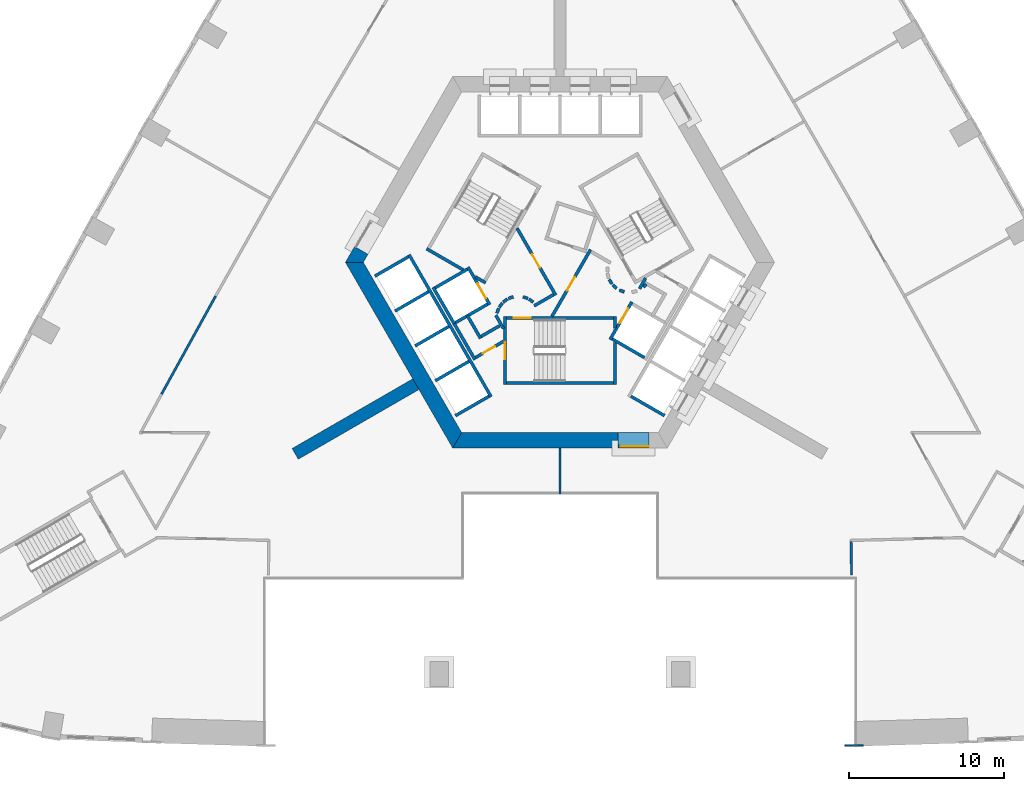
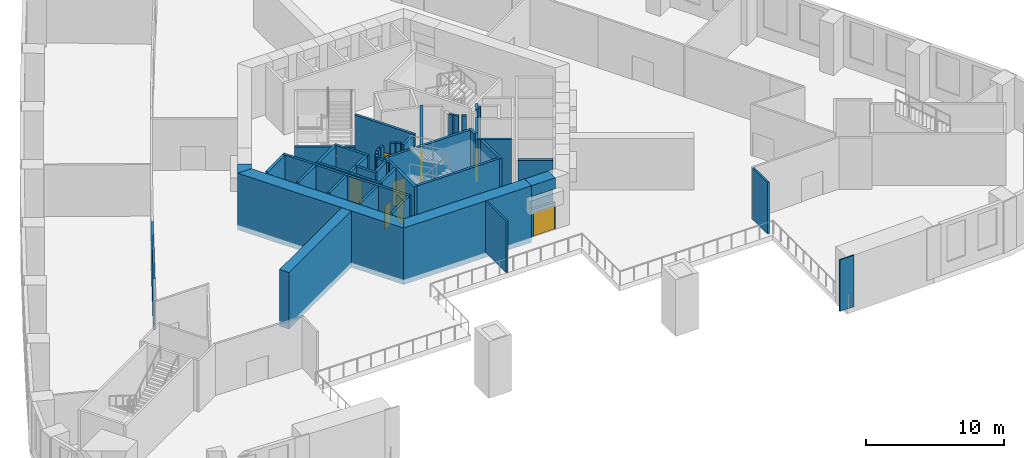
# One storey, part 3 of 16: 49 walls, 8 doors, 8 openings.
"""IFC4 building model written with IfcOpenShell, lengths in metres."""

from ifc_helpers import new_model, si_unit, direction, frame, frame_2d, origin, place, context, subcontext, project, spatial, polyline, rectangle, outline, extrude, material, layer, layer_set, type_object, element, fill, save


model = new_model("IFC4")

# Units and contexts
model_context = context("Model", 3, precision=1e-05, world=origin(), true_north=direction((0.0, 1.0)))
body_context = subcontext(model_context, "Body", "Model", "MODEL_VIEW")
ifc_project = project(units=[si_unit("LENGTHUNIT", "METRE"), si_unit("AREAUNIT", "SQUARE_METRE"), si_unit("VOLUMEUNIT", "CUBIC_METRE"), si_unit("PLANEANGLEUNIT", "RADIAN"), si_unit("MASSUNIT", "GRAM", prefix="KILO")], contexts=[model_context])

# Site, building, storey
site_placement = place(None, origin())
site = spatial("IfcSite", under=ifc_project, at=site_placement, CompositionType="ELEMENT")
building_placement = place(site_placement, origin())
building = spatial("IfcBuilding", under=site, at=building_placement, Name="Entoto Arch Interchange Tower", CompositionType="ELEMENT")
storey_placement = place(building_placement, frame((0.0, 0.0, 15.0)))
storey = spatial("IfcBuildingStorey", under=building, at=storey_placement, Name="L02", CompositionType="ELEMENT", Elevation=15.0)

# Wall
ifc_material_1 = material(Name="Concrete C60/75", Category="concrete")
ifc_layer_1 = layer(ifc_material_1, 0.800048828125)
ifc_layer_set_1 = layer_set([ifc_layer_1], Name="Concrete C60/75")
wall_type_1 = type_object("IfcWallType", Name="Buttress wall 800 C60/75", PredefinedType="SHEAR", material=ifc_layer_set_1)
wall_1_placement = place(storey_placement, frame((-9.31005859375, -5.375, -0.449951171875), z_axis=(0.0, 0.0, 1.0), x_axis=(-0.866017533419, -0.500013631625, 0.0)))
element("IfcWall", 1, at=wall_1_placement, inside=storey, type_object=wall_type_1, Name="Buttress wall SW L02", PredefinedType="SHEAR", context=body_context, shape_type="SweptSolid", body=[
    extrude(rectangle(XDim=8.999755859375, YDim=0.800048828125, at=frame_2d((4.5, 0.0))), origin(), (0.0, 0.0, 1.0), 5.0),
])

# Wall, opening, door
ifc_material_2 = material(Name="Reinforced concrete C40/50", Category="concrete")
ifc_layer_2 = layer(ifc_material_2, 0.199951171875)
ifc_layer_set_2 = layer_set([ifc_layer_2], Name="Reinforced concrete C40/50")
wall_type_2 = type_object("IfcWallType", Name="CORE GAP INFILL WALL", PredefinedType="PARTITIONING", material=ifc_layer_set_2)
wall_2_placement = place(storey_placement, frame((3.75, -9.39990234375, 0.0), z_axis=(0.0, 0.0, 1.0), x_axis=(1.0, 0.0, 0.0)))
wall_2 = element("IfcWall", 2, at=wall_2_placement, inside=storey, type_object=wall_type_2, Name="wall:L02:gap1", PredefinedType="PARTITIONING", context=body_context, shape_type="SweptSolid", body=[
    extrude(rectangle(XDim=2.0, YDim=0.199951171875, at=frame_2d((1.0, 0.0))), origin(), (0.0, 0.0, 1.0), 2.39990234375),
])
opening_1_placement = place(wall_2_placement, frame((0.18994140625, 0.0, 0.0)))
opening_1 = element("IfcOpeningElement", 3, at=opening_1_placement, cuts=wall_2, Name="Opening L02-D91", PredefinedType="OPENING", context=body_context, shape_type="SweptSolid", body=[
    extrude(rectangle(XDim=1.800048828125, YDim=2.10009765625, at=frame_2d((0.89990234375, 1.050048828125))), frame((0.0, 0.10986328125, 0.0), z_axis=(0.0, -1.0, 0.0), x_axis=(1.0, 0.0, 0.0)), (0.0, 0.0, 1.0), 0.219970703125),
])
ifc_material_3 = material(Name="Fire-rated Steel S235 door and frame", Category="steel")
door_type_1 = type_object("IfcDoorType", Name="DOOR FD-18 1800x2100", OperationType="DOUBLE_DOOR_SINGLE_SWING", PredefinedType="DOOR", material=ifc_material_3)
door_1_placement = place(opening_1_placement, origin())
door_1 = element("IfcDoor", 4, at=door_1_placement, inside=storey, type_object=door_type_1, Name="door:L02:gap1", OperationType="DOUBLE_DOOR_SINGLE_SWING", OverallHeight=2.10009765625, OverallWidth=1.800048828125, PredefinedType="DOOR", context=body_context, shape_type="SweptSolid", body=[
    extrude(rectangle(XDim=1.800048828125, YDim=2.10009765625, at=frame_2d((0.89990234375, 1.050048828125))), frame((0.0, 0.02490234375, 0.0), z_axis=(0.0, -1.0, 0.0), x_axis=(1.0, 0.0, 0.0)), (0.0, 0.0, 1.0), 0.050048828125),
])
fill(opening_1, door_1)

# Walls
ifc_layer_3 = layer(ifc_material_1, 1.0)
ifc_layer_set_3 = layer_set([ifc_layer_3], Name="Concrete C60/75")
wall_type_3 = type_object("IfcWallType", Name="Core wall 1000 C60/75", PredefinedType="SHEAR", material=ifc_layer_set_3)
wall_3_placement = place(storey_placement, frame((0.0, 0.0, -0.449951171875)))
element("IfcWall", 5, at=wall_3_placement, inside=storey, type_object=wall_type_3, Name="Core wall NW L02", PredefinedType="SHEAR", context=body_context, shape_type="SweptSolid", body=[
    extrude(outline(polyline([(-12.402099609375, 3.02001953125), (-13.26708984375, 3.52001953125), (-13.85595703125, 2.5), (-12.701904296875, 2.5), (-12.402099609375, 3.02001953125)])), origin(), (0.0, 0.0, 1.0), 5.0),
])
wall_4_placement = place(storey_placement, frame((0.0, 0.0, -0.449951171875)))
element("IfcWall", 6, at=wall_4_placement, inside=storey, type_object=wall_type_3, Name="Core wall SW L02", PredefinedType="SHEAR", context=body_context, shape_type="SweptSolid", body=[
    extrude(outline(polyline([(-13.85595703125, 2.5), (-6.927978515625, -9.5), (-6.35107421875, -8.5), (-12.701904296875, 2.5), (-13.85595703125, 2.5)])), origin(), (0.0, 0.0, 1.0), 5.0),
])
wall_5_placement = place(storey_placement, frame((0.0, 0.0, -0.449951171875)))
element("IfcWall", 7, at=wall_5_placement, inside=storey, type_object=wall_type_3, Name="Core wall S L02", PredefinedType="SHEAR", context=body_context, shape_type="SweptSolid", body=[
    extrude(outline(polyline([(3.75, -9.5), (3.75, -8.5), (-6.35107421875, -8.5), (-6.927978515625, -9.5), (3.75, -9.5)])), origin(), (0.0, 0.0, 1.0), 5.0),
])
wall_6_placement = place(storey_placement, frame((0.0, 0.0, 3.60009765625)))
element("IfcWall", 8, at=wall_6_placement, inside=storey, type_object=wall_type_3, Name="Core wall lintel S L02", PredefinedType="SHEAR", context=body_context, shape_type="SweptSolid", body=[
    extrude(outline(polyline([(5.75, -9.5), (5.75, -8.5), (3.75, -8.5), (3.75, -9.5), (5.75, -9.5)])), origin(), (0.0, 0.0, 1.0), 0.949951171875),
])

# Wall, opening, door
ifc_material_4 = material(Name="Concrete C40/50", Category="concrete")
ifc_layer_4 = layer(ifc_material_4, 0.199951171875)
ifc_layer_set_4 = layer_set([ifc_layer_4], Name="Concrete C40/50")
wall_type_4 = type_object("IfcWallType", Name="LIFT SHAFT WALL 200", PredefinedType="STANDARD", material=ifc_layer_set_4)
wall_7_placement = place(storey_placement, frame((-5.93994140625, 2.18798828125, 0.0), z_axis=(0.0, 0.0, 1.0), x_axis=(0.49994636267, -0.866056369097, 0.0)))
wall_7 = element("IfcWall", 9, at=wall_7_placement, inside=storey, type_object=wall_type_4, Name="Shaft wall SW1 front", PredefinedType="STANDARD", context=body_context, shape_type="SweptSolid", body=[
    extrude(rectangle(XDim=2.800048828125, YDim=0.199951171875, at=frame_2d((1.39990234375, 0.0))), origin(), (0.0, 0.0, 1.0), 4.550048828125),
])
opening_2_placement = place(wall_7_placement, frame((1.22509765625, 0.0, 0.0)))
opening_2 = element("IfcOpeningElement", 10, at=opening_2_placement, cuts=wall_7, Name="Opening LD-FF2-L02", PredefinedType="OPENING", context=body_context, shape_type="SweptSolid", body=[
    extrude(rectangle(XDim=1.10009765625, YDim=2.10009765625, at=frame_2d((0.550048828125, 1.050048828125))), frame((0.0, 0.10986328125, 0.0), z_axis=(0.0, -1.0, 0.0), x_axis=(1.0, 0.0, 0.0)), (0.0, 0.0, 1.0), 0.219970703125),
])
ifc_material_5 = material(Name="Stainless steel 1.4301 panels", Category="steel")
door_type_2 = type_object("IfcDoorType", Name="LIFT LANDING DOOR LD1 1100x2100", OperationType="SLIDING_TO_LEFT", PredefinedType="DOOR", material=ifc_material_5)
door_2_placement = place(opening_2_placement, origin())
door_2 = element("IfcDoor", 11, at=door_2_placement, inside=storey, type_object=door_type_2, Name="Lift landing door FF2 L02", OperationType="SLIDING_TO_LEFT", OverallHeight=2.10009765625, OverallWidth=1.10009765625, PredefinedType="DOOR", context=body_context, shape_type="SweptSolid", body=[
    extrude(rectangle(XDim=1.10009765625, YDim=2.10009765625, at=frame_2d((0.550048828125, 1.050048828125))), frame((0.0, 0.02490234375, 0.0), z_axis=(0.0, -1.0, 0.0), x_axis=(1.0, 0.0, 0.0)), (0.0, 0.0, 1.0), 0.050048828125),
])
fill(opening_2, door_2)

# Walls
wall_8_placement = place(storey_placement, frame((-8.19189453125, 0.887939453125, 0.0), z_axis=(0.0, 0.0, 1.0), x_axis=(0.49994636267, -0.866056369097, 0.0)))
element("IfcWall", 12, at=wall_8_placement, inside=storey, type_object=wall_type_4, Name="Shaft wall SW1 back", PredefinedType="STANDARD", context=body_context, shape_type="SweptSolid", body=[
    extrude(rectangle(XDim=2.800048828125, YDim=0.199951171875, at=frame_2d((1.39990234375, 0.0))), origin(), (0.0, 0.0, 1.0), 4.550048828125),
])
for number, where, z_axis, x_axis, name in (
    (13, (-5.97705078125, 2.052001953125, 0.0), (0.0, 0.0, 1.0), (-0.865973769406, -0.500089422704, 0.0), "Shaft wall SW1 cross 1"),
    (14, (-4.677001953125, -0.199951171875, 0.0), (0.0, 0.0, 1.0), (-0.865973769406, -0.500089422704, 0.0), "Shaft wall SW1 cross 2"),
):
    element("IfcWall", number, at=place(storey_placement, frame(where, z_axis=z_axis, x_axis=x_axis)), inside=storey, type_object=wall_type_4, Name=name, PredefinedType="STANDARD", context=body_context, shape_type="SweptSolid", body=[
        extrude(rectangle(XDim=2.3994140625, YDim=0.199951171875, at=frame_2d((1.19970703125, 0.0))), origin(), (0.0, 0.0, 1.0), 4.550048828125),
    ])
wall_9_placement = place(storey_placement, frame((-9.7509765625, 2.989990234375, 0.0), z_axis=(0.0, 0.0, 1.0), x_axis=(0.50000090737, -0.866024879913, 0.0)))
element("IfcWall", 15, at=wall_9_placement, inside=storey, type_object=wall_type_4, Name="Shaft wall SW3 front", PredefinedType="STANDARD", context=body_context, shape_type="SweptSolid", body=[
    extrude(rectangle(XDim=10.60009765625, YDim=0.199951171875, at=frame_2d((5.300048828125, 0.0))), origin(), (0.0, 0.0, 1.0), 4.550048828125),
])
wall_10_placement = place(storey_placement, frame((-9.7880859375, 2.85302734375, 0.0), z_axis=(0.0, 0.0, 1.0), x_axis=(-0.865998541277, -0.500046524342, 0.0)))
element("IfcWall", 16, at=wall_10_placement, inside=storey, type_object=wall_type_4, Name="Shaft wall SW3 cross 1", PredefinedType="STANDARD", context=body_context, shape_type="SweptSolid", body=[
    extrude(rectangle(XDim=2.499755859375, YDim=0.199951171875, at=frame_2d((1.25, 0.0))), origin(), (0.0, 0.0, 1.0), 4.550048828125),
])
for number, where, z_axis, x_axis, name in (
    (17, (-8.488037109375, 0.60205078125, 0.0), (0.0, 0.0, 1.0), (-0.866022959057, -0.500004234368, 0.0), "Shaft wall SW3 cross 2"),
    (18, (-7.18798828125, -1.64990234375, 0.0), (0.0, 0.0, 1.0), (-0.866022959057, -0.500004234368, 0.0), "Shaft wall SW3 cross 3"),
    (19, (-5.887939453125, -3.902099609375, 0.0), (0.0, 0.0, 1.0), (-0.866022959057, -0.500004234368, 0.0), "Shaft wall SW3 cross 4"),
    (20, (-4.587890625, -6.153076171875, 0.0), (0.0, 0.0, 1.0), (-0.866022959057, -0.500004234368, 0.0), "Shaft wall SW3 cross 5"),
):
    element("IfcWall", number, at=place(storey_placement, frame(where, z_axis=z_axis, x_axis=x_axis)), inside=storey, type_object=wall_type_4, Name=name, PredefinedType="STANDARD", context=body_context, shape_type="SweptSolid", body=[
        extrude(rectangle(XDim=2.5, YDim=0.199951171875, at=frame_2d((1.25, 0.0))), origin(), (0.0, 0.0, 1.0), 4.550048828125),
    ])

# Wall, opening, door
wall_11_placement = place(storey_placement, frame((3.239990234375, -2.488037109375, 0.0), z_axis=(0.0, 0.0, 1.0), x_axis=(0.49994636267, 0.866056369097, 0.0)))
wall_11 = element("IfcWall", 21, at=wall_11_placement, inside=storey, type_object=wall_type_4, Name="Shaft wall SE1 front", PredefinedType="STANDARD", context=body_context, shape_type="SweptSolid", body=[
    extrude(rectangle(XDim=2.800048828125, YDim=0.199951171875, at=frame_2d((1.39990234375, 0.0))), origin(), (0.0, 0.0, 1.0), 4.550048828125),
])
opening_3_placement = place(wall_11_placement, frame((1.22509765625, 0.0, 0.0)))
opening_3 = element("IfcOpeningElement", 22, at=opening_3_placement, cuts=wall_11, Name="Opening LD-FF1-L02", PredefinedType="OPENING", context=body_context, shape_type="SweptSolid", body=[
    extrude(rectangle(XDim=1.10009765625, YDim=2.10009765625, at=frame_2d((0.550048828125, 1.050048828125))), frame((0.0, 0.10986328125, 0.0), z_axis=(0.0, -1.0, 0.0), x_axis=(1.0, 0.0, 0.0)), (0.0, 0.0, 1.0), 0.219970703125),
])
door_3_placement = place(opening_3_placement, origin())
door_3 = element("IfcDoor", 23, at=door_3_placement, inside=storey, type_object=door_type_2, Name="Lift landing door FF1 L02", OperationType="SLIDING_TO_LEFT", OverallHeight=2.10009765625, OverallWidth=1.10009765625, PredefinedType="DOOR", context=body_context, shape_type="SweptSolid", body=[
    extrude(rectangle(XDim=1.10009765625, YDim=2.10009765625, at=frame_2d((0.550048828125, 1.050048828125))), frame((0.0, 0.02490234375, 0.0), z_axis=(0.0, -1.0, 0.0), x_axis=(1.0, 0.0, 0.0)), (0.0, 0.0, 1.0), 0.050048828125),
])
fill(opening_3, door_3)

# Walls
wall_12_placement = place(storey_placement, frame((3.376953125, -2.451904296875, 0.0), z_axis=(0.0, 0.0, 1.0), x_axis=(0.865955154139, -0.50012165622, 0.0)))
element("IfcWall", 24, at=wall_12_placement, inside=storey, type_object=wall_type_4, Name="Shaft wall SE1 cross 1", PredefinedType="STANDARD", context=body_context, shape_type="SweptSolid", body=[
    extrude(rectangle(XDim=2.39990234375, YDim=0.199951171875, at=frame_2d((1.199951171875, 0.0))), origin(), (0.0, 0.0, 1.0), 4.550048828125),
])
wall_13_placement = place(storey_placement, frame((4.587890625, -6.153076171875, 0.0), z_axis=(0.0, 0.0, 1.0), x_axis=(0.866022959057, -0.500004234368, 0.0)))
element("IfcWall", 25, at=wall_13_placement, inside=storey, type_object=wall_type_4, Name="Shaft wall SE3 cross 1", PredefinedType="STANDARD", context=body_context, shape_type="SweptSolid", body=[
    extrude(rectangle(XDim=2.5, YDim=0.199951171875, at=frame_2d((1.25, 0.0))), origin(), (0.0, 0.0, 1.0), 4.550048828125),
])
ifc_material_6 = material(Name="Gypsum board partition on steel studs", Category="steel")
ifc_layer_5 = layer(ifc_material_6, 0.14990234375)
ifc_layer_set_5 = layer_set([ifc_layer_5], Name="Gypsum board partition on steel studs")
wall_type_5 = type_object("IfcWallType", Name="PARTITION 150", PredefinedType="PARTITIONING", material=ifc_layer_set_5)
wall_14_placement = place(storey_placement, frame((18.833984375, -17.699951171875, 0.0), z_axis=(0.0, 0.0, 1.0), x_axis=(-0.014792283123, 0.999890588195, 0.0)))
element("IfcWall", 26, at=wall_14_placement, inside=storey, type_object=wall_type_5, Name="wall:L02:p041", PredefinedType="PARTITIONING", context=body_context, shape_type="SweptSolid", body=[
    extrude(rectangle(XDim=2.162109375, YDim=0.14990234375, at=frame_2d((1.0810546875, 0.0))), origin(), (0.0, 0.0, 1.0), 4.550048828125),
])
wall_15_placement = place(storey_placement, frame((-22.240966796875, 0.320068359375, 0.0), z_axis=(0.0, 0.0, 1.0), x_axis=(-0.483080021489, -0.875576206186, 0.0)))
element("IfcWall", 27, at=wall_15_placement, inside=storey, type_object=wall_type_5, Name="wall:L02:p071", PredefinedType="PARTITIONING", context=body_context, shape_type="SweptSolid", body=[
    extrude(rectangle(XDim=7.228515625, YDim=0.14990234375, at=frame_2d((3.6142578125, 0.0))), origin(), (0.0, 0.0, 1.0), 4.550048828125),
])
wall_16_placement = place(storey_placement, frame((0.0, -9.5, 0.0), z_axis=(0.0, 0.0, 1.0), x_axis=(0.0, -1.0, 0.0)))
element("IfcWall", 28, at=wall_16_placement, inside=storey, type_object=wall_type_5, Name="wall:L02:p080", PredefinedType="PARTITIONING", context=body_context, shape_type="SweptSolid", body=[
    extrude(rectangle(XDim=2.97998046875, YDim=0.14990234375, at=frame_2d((1.489990234375, 0.0))), origin(), (0.0, 0.0, 1.0), 4.550048828125),
])
ifc_layer_6 = layer(ifc_material_6, 0.199951171875)
ifc_layer_set_6 = layer_set([ifc_layer_6], Name="Gypsum board partition on steel studs")
wall_type_6 = type_object("IfcWallType", Name="PARTITION 200", PredefinedType="PARTITIONING", material=ifc_layer_set_6)
wall_17_placement = place(storey_placement, frame((5.389892578125, 0.89794921875, 0.0), z_axis=(0.0, 0.0, 1.0), x_axis=(0.673828488714, 0.738887791073, 0.0)))
element("IfcWall", 29, at=wall_17_placement, inside=storey, type_object=wall_type_6, Name="wall:L02:p001", PredefinedType="PARTITIONING", context=body_context, shape_type="SweptSolid", body=[
    extrude(rectangle(XDim=0.2626953125, YDim=0.199951171875, at=frame_2d((0.13134765625, 0.0))), origin(), (0.0, 0.0, 1.0), 4.550048828125),
])
wall_18_placement = place(storey_placement, frame((5.135009765625, 0.79296875, 0.0), z_axis=(0.0, 0.0, 1.0), x_axis=(0.499526442893, 0.866298639529, 0.0)))
element("IfcWall", 30, at=wall_18_placement, inside=storey, type_object=wall_type_6, Name="wall:L02:p005", PredefinedType="PARTITIONING", context=body_context, shape_type="SweptSolid", body=[
    extrude(rectangle(XDim=0.790771484375, YDim=0.199951171875, at=frame_2d((0.3955078125, 0.0))), origin(), (0.0, 0.0, 1.0), 4.550048828125),
])
wall_19_placement = place(storey_placement, frame((-3.89990234375, -1.59912109375, 0.0), z_axis=(0.0, 0.0, 1.0), x_axis=(-0.865969445389, -0.500096910261, 0.0)))
element("IfcWall", 31, at=wall_19_placement, inside=storey, type_object=wall_type_6, Name="wall:L02:p007", PredefinedType="PARTITIONING", context=body_context, shape_type="SweptSolid", body=[
    extrude(rectangle(XDim=1.373291015625, YDim=0.199951171875, at=frame_2d((0.6865234375, 0.0))), origin(), (0.0, 0.0, 1.0), 4.550048828125),
])
wall_20_placement = place(storey_placement, frame((-5.1259765625, -2.422119140625, 0.0), z_axis=(0.0, 0.0, 1.0), x_axis=(-0.500062241894, 0.865989465428, 0.0)))
element("IfcWall", 32, at=wall_20_placement, inside=storey, type_object=wall_type_6, Name="wall:L02:p008", PredefinedType="PARTITIONING", context=body_context, shape_type="SweptSolid", body=[
    extrude(rectangle(XDim=1.699951171875, YDim=0.199951171875, at=frame_2d((0.85009765625, 0.0))), origin(), (0.0, 0.0, 1.0), 4.550048828125),
])
wall_21_placement = place(storey_placement, frame((-5.491943359375, -3.7880859375, 0.0), z_axis=(0.0, 0.0, 1.0), x_axis=(-0.500008949224, 0.866020236886, 0.0)))
element("IfcWall", 33, at=wall_21_placement, inside=storey, type_object=wall_type_6, Name="wall:L02:p009", PredefinedType="PARTITIONING", context=body_context, shape_type="SweptSolid", body=[
    extrude(rectangle(XDim=2.68017578125, YDim=0.199951171875, at=frame_2d((1.340087890625, 0.0))), origin(), (0.0, 0.0, 1.0), 4.550048828125),
])
wall_22_placement = place(storey_placement, frame((-4.14501953125, -0.919921875, 0.0), z_axis=(0.0, 0.0, 1.0), x_axis=(0.499743786207, -0.866173278362, 0.0)))
element("IfcWall", 34, at=wall_22_placement, inside=storey, type_object=wall_type_6, Name="wall:L02:p010", PredefinedType="PARTITIONING", context=body_context, shape_type="SweptSolid", body=[
    extrude(rectangle(XDim=0.99072265625, YDim=0.199951171875, at=frame_2d((0.495361328125, 0.0))), origin(), (0.0, 0.0, 1.0), 4.550048828125),
])

# Wall, opening, door
wall_23_placement = place(storey_placement, frame((-3.64990234375, -2.610107421875, 0.0), z_axis=(0.0, 0.0, 1.0), x_axis=(-0.866072462134, -0.499918483688, 0.0)))
wall_23 = element("IfcWall", 35, at=wall_23_placement, inside=storey, type_object=wall_type_6, Name="wall:L02:p011", PredefinedType="PARTITIONING", context=body_context, shape_type="SweptSolid", body=[
    extrude(rectangle(XDim=2.084228515625, YDim=0.199951171875, at=frame_2d((1.0419921875, 0.0))), origin(), (0.0, 0.0, 1.0), 4.550048828125),
])
opening_4_placement = place(wall_23_placement, frame((0.64208984375, 0.0, 0.0)))
opening_4 = element("IfcOpeningElement", 36, at=opening_4_placement, cuts=wall_23, Name="Opening L02-D15", PredefinedType="OPENING", context=body_context, shape_type="SweptSolid", body=[
    extrude(rectangle(XDim=0.89990234375, YDim=2.10009765625, at=frame_2d((0.449951171875, 1.050048828125))), frame((0.0, 0.10986328125, 0.0), z_axis=(0.0, -1.0, 0.0), x_axis=(1.0, 0.0, 0.0)), (0.0, 0.0, 1.0), 0.219970703125),
])
ifc_material_7 = material(Name="Timber door leaf in Steel S235 frame", Category="steel")
door_type_3 = type_object("IfcDoorType", Name="DOOR DS-09 900x2100", OperationType="SINGLE_SWING_LEFT", PredefinedType="DOOR", material=ifc_material_7)
door_4_placement = place(opening_4_placement, origin())
door_4 = element("IfcDoor", 37, at=door_4_placement, inside=storey, type_object=door_type_3, Name="door:L02:15", OperationType="SINGLE_SWING_LEFT", OverallHeight=2.10009765625, OverallWidth=0.89990234375, PredefinedType="DOOR", context=body_context, shape_type="SweptSolid", body=[
    extrude(rectangle(XDim=0.89990234375, YDim=2.10009765625, at=frame_2d((0.449951171875, 1.050048828125))), frame((0.0, 0.02490234375, 0.0), z_axis=(0.0, -1.0, 0.0), x_axis=(1.0, 0.0, 0.0)), (0.0, 0.0, 1.0), 0.050048828125),
])
fill(opening_4, door_4)

# Walls
for number, where, z_axis, x_axis, name in (
    (38, (3.181884765625, 1.387939453125, 0.0), (0.0, 0.0, 1.0), (0.512474702713, -0.85870232274, 0.0), "wall:L02:p018"),
    (39, (3.404052734375, 1.0390625, 0.0), (0.0, 0.0, 1.0), (0.740267097712, -0.672312891476, 0.0), "wall:L02:p019"),
):
    element("IfcWall", number, at=place(storey_placement, frame(where, z_axis=z_axis, x_axis=x_axis)), inside=storey, type_object=wall_type_6, Name=name, PredefinedType="PARTITIONING", context=body_context, shape_type="SweptSolid", body=[
        extrude(rectangle(XDim=0.337646484375, YDim=0.199951171875, at=frame_2d((0.1689453125, 0.0))), origin(), (0.0, 0.0, 1.0), 4.550048828125),
    ])
wall_24_placement = place(storey_placement, frame((3.837890625, 0.701904296875, 0.0), z_axis=(0.0, 0.0, 1.0), x_axis=(0.941035081519, -0.338308993895, 0.0)))
element("IfcWall", 40, at=wall_24_placement, inside=storey, type_object=wall_type_6, Name="wall:L02:p020", PredefinedType="PARTITIONING", context=body_context, shape_type="SweptSolid", body=[
    extrude(rectangle(XDim=0.3369140625, YDim=0.199951171875, at=frame_2d((0.16845703125, 0.0))), origin(), (0.0, 0.0, 1.0), 4.550048828125),
])

# Wall, opening, door
wall_25_placement = place(storey_placement, frame((-0.52001953125, -1.0, 0.0), z_axis=(0.0, 0.0, 1.0), x_axis=(0.50011622646, 0.865958290007, 0.0)))
wall_25 = element("IfcWall", 41, at=wall_25_placement, inside=storey, type_object=wall_type_6, Name="wall:L02:p022", PredefinedType="PARTITIONING", context=body_context, shape_type="SweptSolid", body=[
    extrude(rectangle(XDim=4.990966796875, YDim=0.199951171875, at=frame_2d((2.49560546875, 0.0))), origin(), (0.0, 0.0, 1.0), 4.550048828125),
])
opening_5_placement = place(wall_25_placement, frame((1.945068359375, 0.0, 0.0)))
opening_5 = element("IfcOpeningElement", 42, at=opening_5_placement, cuts=wall_25, Name="Opening L02-D12", PredefinedType="OPENING", context=body_context, shape_type="SweptSolid", body=[
    extrude(rectangle(XDim=1.0, YDim=2.10009765625, at=frame_2d((0.5, 1.050048828125))), frame((0.0, 0.10986328125, 0.0), z_axis=(0.0, -1.0, 0.0), x_axis=(1.0, 0.0, 0.0)), (0.0, 0.0, 1.0), 0.219970703125),
])
door_type_4 = type_object("IfcDoorType", Name="DOOR FD-10 1000x2100", OperationType="SINGLE_SWING_LEFT", PredefinedType="DOOR", material=ifc_material_3)
door_5_placement = place(opening_5_placement, origin())
door_5 = element("IfcDoor", 43, at=door_5_placement, inside=storey, type_object=door_type_4, Name="door:L02:12", OperationType="SINGLE_SWING_LEFT", OverallHeight=2.10009765625, OverallWidth=1.0, PredefinedType="DOOR", context=body_context, shape_type="SweptSolid", body=[
    extrude(rectangle(XDim=1.0, YDim=2.10009765625, at=frame_2d((0.5, 1.050048828125))), frame((0.0, 0.02490234375, 0.0), z_axis=(0.0, -1.0, 0.0), x_axis=(1.0, 0.0, 0.0)), (0.0, 0.0, 1.0), 0.050048828125),
])
fill(opening_5, door_5)

# Walls
wall_26_placement = place(storey_placement, frame((-0.412109375, 0.4140625, 0.0), z_axis=(0.0, 0.0, 1.0), x_axis=(-0.866017369001, -0.500013916395, 0.0)))
element("IfcWall", 44, at=wall_26_placement, inside=storey, type_object=wall_type_6, Name="wall:L02:p024", PredefinedType="PARTITIONING", context=body_context, shape_type="SweptSolid", body=[
    extrude(rectangle(XDim=1.4501953125, YDim=0.199951171875, at=frame_2d((0.72509765625, 0.0))), origin(), (0.0, 0.0, 1.0), 4.550048828125),
])
wall_27_placement = place(storey_placement, frame((-1.73095703125, -0.076904296875, 0.0), z_axis=(0.0, 0.0, 1.0), x_axis=(-0.804311165252, 0.594208338422, 0.0)))
element("IfcWall", 45, at=wall_27_placement, inside=storey, type_object=wall_type_6, Name="wall:L02:p025", PredefinedType="PARTITIONING", context=body_context, shape_type="SweptSolid", body=[
    extrude(rectangle(XDim=0.338134765625, YDim=0.199951171875, at=frame_2d((0.1689453125, 0.0))), origin(), (0.0, 0.0, 1.0), 4.550048828125),
])
wall_28_placement = place(storey_placement, frame((-2.070068359375, 0.159912109375, 0.0), z_axis=(0.0, 0.0, 1.0), x_axis=(-0.942199461132, 0.335052496547, 0.0)))
element("IfcWall", 46, at=wall_28_placement, inside=storey, type_object=wall_type_6, Name="wall:L02:p026", PredefinedType="PARTITIONING", context=body_context, shape_type="SweptSolid", body=[
    extrude(rectangle(XDim=0.33740234375, YDim=0.199951171875, at=frame_2d((0.168701171875, 0.0))), origin(), (0.0, 0.0, 1.0), 4.550048828125),
])
wall_29_placement = place(storey_placement, frame((-3.011962890625, 0.27294921875, 0.0), z_axis=(0.0, 0.0, 1.0), x_axis=(-0.942280615813, -0.334824194261, 0.0)))
element("IfcWall", 47, at=wall_29_placement, inside=storey, type_object=wall_type_6, Name="wall:L02:p027", PredefinedType="PARTITIONING", context=body_context, shape_type="SweptSolid", body=[
    extrude(rectangle(XDim=0.337646484375, YDim=0.199951171875, at=frame_2d((0.1689453125, 0.0))), origin(), (0.0, 0.0, 1.0), 4.550048828125),
])
wall_30_placement = place(storey_placement, frame((-3.39697265625, 0.1240234375, 0.0), z_axis=(0.0, 0.0, 1.0), x_axis=(-0.804311165252, -0.594208338422, 0.0)))
element("IfcWall", 48, at=wall_30_placement, inside=storey, type_object=wall_type_6, Name="wall:L02:p028", PredefinedType="PARTITIONING", context=body_context, shape_type="SweptSolid", body=[
    extrude(rectangle(XDim=0.338134765625, YDim=0.199951171875, at=frame_2d((0.1689453125, 0.0))), origin(), (0.0, 0.0, 1.0), 4.550048828125),
])
wall_31_placement = place(storey_placement, frame((-3.722900390625, -0.131103515625, 0.0), z_axis=(0.0, 0.0, 1.0), x_axis=(-0.594675113454, -0.803966112121, 0.0)))
element("IfcWall", 49, at=wall_31_placement, inside=storey, type_object=wall_type_6, Name="wall:L02:p029", PredefinedType="PARTITIONING", context=body_context, shape_type="SweptSolid", body=[
    extrude(rectangle(XDim=0.33837890625, YDim=0.199951171875, at=frame_2d((0.169189453125, 0.0))), origin(), (0.0, 0.0, 1.0), 4.550048828125),
])
wall_32_placement = place(storey_placement, frame((-3.9599609375, -0.469970703125, 0.0), z_axis=(0.0, 0.0, 1.0), x_axis=(-0.334824194261, -0.942280615813, 0.0)))
element("IfcWall", 50, at=wall_32_placement, inside=storey, type_object=wall_type_6, Name="wall:L02:p030", PredefinedType="PARTITIONING", context=body_context, shape_type="SweptSolid", body=[
    extrude(rectangle(XDim=0.337646484375, YDim=0.199951171875, at=frame_2d((0.1689453125, 0.0))), origin(), (0.0, 0.0, 1.0), 4.550048828125),
])

# Wall, opening, door
wall_33_placement = place(storey_placement, frame((-2.77099609375, 4.699951171875, 0.0), z_axis=(0.0, 0.0, 1.0), x_axis=(0.499969479948, -0.866043023828, 0.0)))
wall_33 = element("IfcWall", 51, at=wall_33_placement, inside=storey, type_object=wall_type_6, Name="wall:L02:p031", PredefinedType="PARTITIONING", context=body_context, shape_type="SweptSolid", body=[
    extrude(rectangle(XDim=4.990478515625, YDim=0.199951171875, at=frame_2d((2.4951171875, 0.0))), origin(), (0.0, 0.0, 1.0), 4.550048828125),
])
opening_6_placement = place(wall_33_placement, frame((1.945068359375, 0.0, 0.0)))
opening_6 = element("IfcOpeningElement", 52, at=opening_6_placement, cuts=wall_33, Name="Opening L02-D13", PredefinedType="OPENING", context=body_context, shape_type="SweptSolid", body=[
    extrude(rectangle(XDim=1.0, YDim=2.10009765625, at=frame_2d((0.5, 1.050048828125))), frame((0.0, 0.10986328125, 0.0), z_axis=(0.0, -1.0, 0.0), x_axis=(1.0, 0.0, 0.0)), (0.0, 0.0, 1.0), 0.219970703125),
])
door_6_placement = place(opening_6_placement, origin())
door_6 = element("IfcDoor", 53, at=door_6_placement, inside=storey, type_object=door_type_4, Name="door:L02:13", OperationType="SINGLE_SWING_RIGHT", OverallHeight=2.10009765625, OverallWidth=1.0, PredefinedType="DOOR", context=body_context, shape_type="SweptSolid", body=[
    extrude(rectangle(XDim=1.0, YDim=2.10009765625, at=frame_2d((0.5, 1.050048828125))), frame((0.0, 0.02490234375, 0.0), z_axis=(0.0, -1.0, 0.0), x_axis=(1.0, 0.0, 0.0)), (0.0, 0.0, 1.0), 0.050048828125),
])
fill(opening_6, door_6)

ifc_layer_7 = layer(ifc_material_4, 0.199951171875)
ifc_layer_set_7 = layer_set([ifc_layer_7], Name="Concrete C40/50")
wall_type_7 = type_object("IfcWallType", Name="STAIR ENCLOSURE WALL 200", PredefinedType="STANDARD", material=ifc_layer_set_7)
wall_34_placement = place(storey_placement, frame((-3.550048828125, -1.0, 0.0), z_axis=(0.0, 0.0, 1.0), x_axis=(0.0, -1.0, 0.0)))
wall_34 = element("IfcWall", 54, at=wall_34_placement, inside=storey, type_object=wall_type_7, Name="Stair wall ST-S near", PredefinedType="STANDARD", context=body_context, shape_type="SweptSolid", body=[
    extrude(rectangle(XDim=4.39990234375, YDim=0.199951171875, at=frame_2d((2.199951171875, 0.0))), origin(), (0.0, 0.0, 1.0), 4.550048828125),
])
opening_7_placement = place(wall_34_placement, frame((1.64990234375, 0.0, 0.0)))
opening_7 = element("IfcOpeningElement", 55, at=opening_7_placement, cuts=wall_34, Name="Opening SD-ST-S-L02-E", PredefinedType="OPENING", context=body_context, shape_type="SweptSolid", body=[
    extrude(rectangle(XDim=1.10009765625, YDim=2.199951171875, at=frame_2d((0.550048828125, 1.10009765625))), frame((0.0, 0.10986328125, 0.0), z_axis=(0.0, -1.0, 0.0), x_axis=(1.0, 0.0, 0.0)), (0.0, 0.0, 1.0), 0.219970703125),
])
ifc_material_8 = material(Name="Steel S235", Category="steel")
door_type_5 = type_object("IfcDoorType", Name="STAIR DOOR SD1 1100x2200", OperationType="SINGLE_SWING_LEFT", PredefinedType="DOOR", material=ifc_material_8)
door_7_placement = place(opening_7_placement, origin())
door_7 = element("IfcDoor", 56, at=door_7_placement, inside=storey, type_object=door_type_5, Name="Stair door ST-S L02 end", OperationType="SINGLE_SWING_LEFT", OverallHeight=2.199951171875, OverallWidth=1.10009765625, PredefinedType="DOOR", context=body_context, shape_type="SweptSolid", body=[
    extrude(rectangle(XDim=1.10009765625, YDim=2.199951171875, at=frame_2d((0.550048828125, 1.10009765625))), frame((0.0, 0.02490234375, 0.0), z_axis=(0.0, -1.0, 0.0), x_axis=(1.0, 0.0, 0.0)), (0.0, 0.0, 1.0), 0.050048828125),
])
fill(opening_7, door_7)

# Walls
wall_35_placement = place(storey_placement, frame((3.550048828125, -2.6669921875, 0.0), z_axis=(0.0, 0.0, 1.0), x_axis=(0.0, -1.0, 0.0)))
element("IfcWall", 57, at=wall_35_placement, inside=storey, type_object=wall_type_7, Name="Stair wall ST-S far", PredefinedType="STANDARD", context=body_context, shape_type="SweptSolid", body=[
    extrude(rectangle(XDim=2.73291015625, YDim=0.199951171875, at=frame_2d((1.366455078125, 0.0))), origin(), (0.0, 0.0, 1.0), 4.550048828125),
])
wall_36_placement = place(storey_placement, frame((3.550048828125, -1.0, 0.0), z_axis=(0.0, 0.0, 1.0), x_axis=(0.0, -1.0, 0.0)))
element("IfcWall", 58, at=wall_36_placement, inside=storey, type_object=wall_type_7, Name="Stair wall ST-S far return", PredefinedType="STANDARD", context=body_context, shape_type="SweptSolid", body=[
    extrude(rectangle(XDim=0.7509765625, YDim=0.199951171875, at=frame_2d((0.37548828125, 0.0))), origin(), (0.0, 0.0, 1.0), 4.550048828125),
])

# Wall, opening, door
wall_37_placement = place(storey_placement, frame((-3.449951171875, -1.10009765625, 0.0), z_axis=(0.0, 0.0, 1.0), x_axis=(1.0, 0.0, 0.0)))
wall_37 = element("IfcWall", 59, at=wall_37_placement, inside=storey, type_object=wall_type_7, Name="Stair wall ST-S hall", PredefinedType="STANDARD", context=body_context, shape_type="SweptSolid", body=[
    extrude(rectangle(XDim=6.89990234375, YDim=0.199951171875, at=frame_2d((3.449951171875, 0.0))), origin(), (0.0, 0.0, 1.0), 4.550048828125),
])
opening_8_placement = place(wall_37_placement, frame((0.449951171875, 0.0, 0.0)))
opening_8 = element("IfcOpeningElement", 60, at=opening_8_placement, cuts=wall_37, Name="Opening SD-ST-S-L02", PredefinedType="OPENING", context=body_context, shape_type="SweptSolid", body=[
    extrude(rectangle(XDim=1.10009765625, YDim=2.199951171875, at=frame_2d((0.550048828125, 1.10009765625))), frame((0.0, 0.10986328125, 0.0), z_axis=(0.0, -1.0, 0.0), x_axis=(1.0, 0.0, 0.0)), (0.0, 0.0, 1.0), 0.219970703125),
])
door_8_placement = place(opening_8_placement, origin())
door_8 = element("IfcDoor", 61, at=door_8_placement, inside=storey, type_object=door_type_5, Name="Stair door ST-S L02", OperationType="SINGLE_SWING_LEFT", OverallHeight=2.199951171875, OverallWidth=1.10009765625, PredefinedType="DOOR", context=body_context, shape_type="SweptSolid", body=[
    extrude(rectangle(XDim=1.10009765625, YDim=2.199951171875, at=frame_2d((0.550048828125, 1.10009765625))), frame((0.0, 0.02490234375, 0.0), z_axis=(0.0, -1.0, 0.0), x_axis=(1.0, 0.0, 0.0)), (0.0, 0.0, 1.0), 0.050048828125),
])
fill(opening_8, door_8)

# Walls
wall_38_placement = place(storey_placement, frame((-3.449951171875, -5.300048828125, 0.0), z_axis=(0.0, 0.0, 1.0), x_axis=(1.0, 0.0, 0.0)))
element("IfcWall", 62, at=wall_38_placement, inside=storey, type_object=wall_type_7, Name="Stair wall ST-S back", PredefinedType="STANDARD", context=body_context, shape_type="SweptSolid", body=[
    extrude(rectangle(XDim=6.89990234375, YDim=0.199951171875, at=frame_2d((3.449951171875, 0.0))), origin(), (0.0, 0.0, 1.0), 4.550048828125),
])
wall_39_placement = place(storey_placement, frame((-6.25, 2.010009765625, 0.0), z_axis=(0.0, 0.0, 1.0), x_axis=(-0.86611865017, 0.499838457731, 0.0)))
element("IfcWall", 63, at=wall_39_placement, inside=storey, type_object=wall_type_7, Name="Stair wall ST-NW far", PredefinedType="STANDARD", context=body_context, shape_type="SweptSolid", body=[
    extrude(rectangle(XDim=2.73291015625, YDim=0.199951171875, at=frame_2d((1.366455078125, 0.0))), origin(), (0.0, 0.0, 1.0), 4.550048828125),
])
wall_40_placement = place(storey_placement, frame((-4.805908203125, 1.176025390625, 0.0), z_axis=(0.0, 0.0, 1.0), x_axis=(-0.866558586415, 0.499075361355, 0.0)))
element("IfcWall", 64, at=wall_40_placement, inside=storey, type_object=wall_type_7, Name="Stair wall ST-NW far return", PredefinedType="STANDARD", context=body_context, shape_type="SweptSolid", body=[
    extrude(rectangle(XDim=0.75146484375, YDim=0.199951171875, at=frame_2d((0.375732421875, 0.0))), origin(), (0.0, 0.0, 1.0), 4.550048828125),
])
ifc_material_9 = material(Name="Welded tuff (ignimbrite) cladding, warm buff", Category="masonry")
ifc_layer_8 = layer(ifc_material_9, 0.10009765625)
ifc_layer_set_8 = layer_set([ifc_layer_8], Name="Welded tuff (ignimbrite) cladding, warm buff")
wall_type_8 = type_object("IfcWallType", Name="STONE PIER CLADDING 100", PredefinedType="STANDARD", material=ifc_layer_set_8)
wall_41_placement = place(storey_placement, frame((18.39892578125, -28.720947265625, 0.0), z_axis=(0.0, 0.0, 1.0), x_axis=(0.999886724523, 0.015051183404, 0.0)))
element("IfcWall", 65, at=wall_41_placement, inside=storey, type_object=wall_type_8, Name="Stone pier S04 L02", PredefinedType="STANDARD", context=body_context, shape_type="SweptSolid", body=[
    extrude(rectangle(XDim=1.200439453125, YDim=0.10009765625, at=frame_2d((0.60009765625, 0.0))), origin(), (0.0, 0.0, 1.0), 4.550048828125),
])

save(model, "model.ifc")
